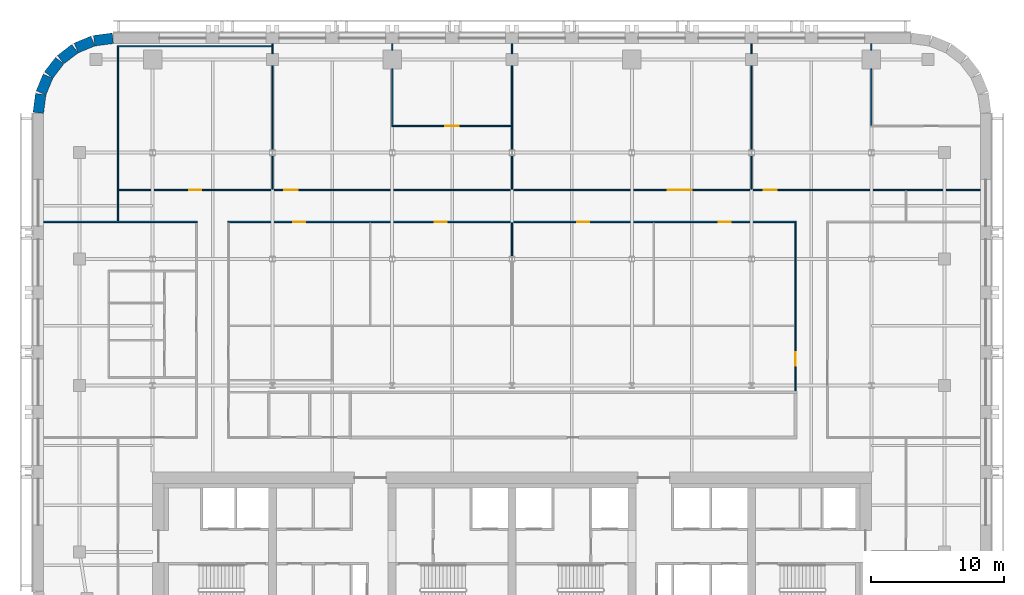
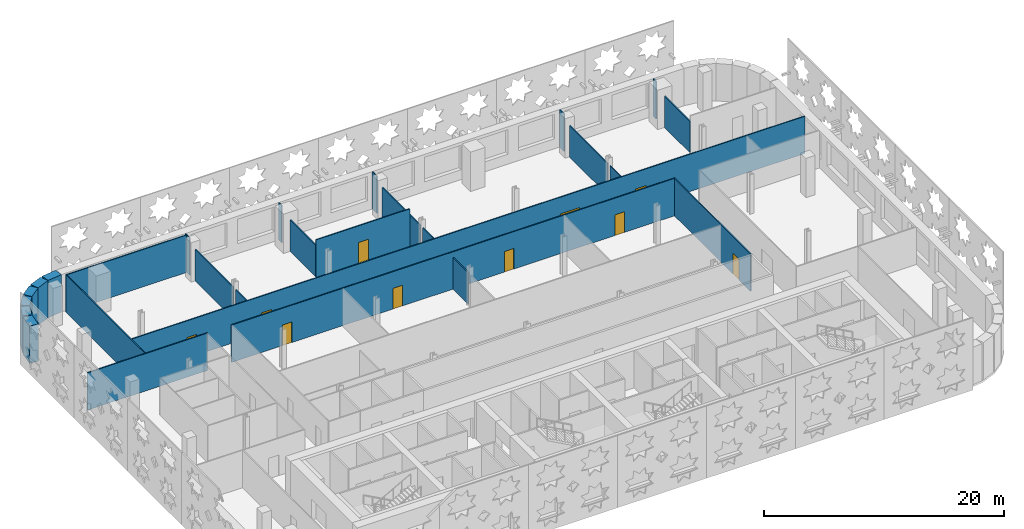
# One storey, part 6 of 12: 27 walls, 10 doors, 10 openings.
"""IFC4 building model written with IfcOpenShell, lengths in metres."""

from ifc_helpers import new_model, si_unit, direction, frame, frame_2d, origin, place, context, subcontext, project, spatial, rectangle, extrude, material, layer, layer_set, type_object, element, fill, save


model = new_model("IFC4")

# Units and contexts
model_context = context("Model", 3, precision=1e-05, world=origin(), true_north=direction((0.0, 1.0)))
body_context = subcontext(model_context, "Body", "Model", "MODEL_VIEW")
ifc_project = project(units=[si_unit("LENGTHUNIT", "METRE"), si_unit("AREAUNIT", "SQUARE_METRE"), si_unit("VOLUMEUNIT", "CUBIC_METRE"), si_unit("PLANEANGLEUNIT", "RADIAN"), si_unit("MASSUNIT", "GRAM", prefix="KILO")], contexts=[model_context])

# Site, building, storey
site_placement = place(None, origin())
site = spatial("IfcSite", under=ifc_project, at=site_placement, CompositionType="ELEMENT")
building_placement = place(site_placement, origin())
building = spatial("IfcBuilding", under=site, at=building_placement, Name="Zellij Exchange Tower", CompositionType="ELEMENT")
storey_placement = place(building_placement, frame((0.0, 0.0, 180.5)))
storey = spatial("IfcBuildingStorey", under=building, at=storey_placement, Name="L41", CompositionType="ELEMENT", Elevation=180.5)

# Walls
ifc_material_1 = material(Name="Precast concrete C40/50", Category="concrete")
ifc_layer_1 = layer(ifc_material_1, 0.800048828125)
ifc_layer_set_1 = layer_set([ifc_layer_1], Name="Precast concrete C40/50")
wall_type_1 = type_object("IfcWallType", Name="ENV-EW1 Precast stone-piered wall 800", PredefinedType="SOLIDWALL", material=ifc_layer_set_1)
wall_1_placement = place(storey_placement, frame((-29.999755859375, 30.5966796875, 0.0), z_axis=(0.0, 0.0, 1.0), x_axis=(-0.99144603414, -0.130517283865, 0.0)))
element("IfcWall", 1, at=wall_1_placement, inside=storey, type_object=wall_type_1, Name="fac.L41.15", PredefinedType="SOLIDWALL", context=body_context, shape_type="SweptSolid", body=[
    extrude(rectangle(XDim=1.408447265625, YDim=0.800048828125, at=frame_2d((0.7041015625, 0.0))), origin(), (0.0, 0.0, 1.0), 3.800048828125),
])
wall_2_placement = place(storey_placement, frame((-31.497314453125, 30.3857421875, 0.0), z_axis=(0.0, 0.0, 1.0), x_axis=(-0.923847774587, -0.38276009378, 0.0)))
element("IfcWall", 2, at=wall_2_placement, inside=storey, type_object=wall_type_1, Name="fac.L41.16", PredefinedType="SOLIDWALL", context=body_context, shape_type="SweptSolid", body=[
    extrude(rectangle(XDim=1.35546875, YDim=0.800048828125, at=frame_2d((0.677734375, 0.0))), origin(), (0.0, 0.0, 1.0), 3.800048828125),
])
for number, where, z_axis, x_axis, name in (
    (3, (-32.840087890625, 29.814697265625, 0.0), (0.0, 0.0, 1.0), (-0.793272915452, -0.608866226366, 0.0), "fac.L41.17"),
    (4, (-33.9892578125, 28.91552734375, 0.0), (0.0, 0.0, 1.0), (-0.608866226366, -0.793272915452, 0.0), "fac.L41.18"),
):
    element("IfcWall", number, at=place(storey_placement, frame(where, z_axis=z_axis, x_axis=x_axis)), inside=storey, type_object=wall_type_1, Name=name, PredefinedType="SOLIDWALL", context=body_context, shape_type="SweptSolid", body=[
        extrude(rectangle(XDim=1.355712890625, YDim=0.800048828125, at=frame_2d((0.677734375, 0.0))), origin(), (0.0, 0.0, 1.0), 3.800048828125),
    ])
wall_3_placement = place(storey_placement, frame((-34.866943359375, 27.74951171875, 0.0), z_axis=(0.0, 0.0, 1.0), x_axis=(-0.38276009378, -0.923847774587, 0.0)))
element("IfcWall", 5, at=wall_3_placement, inside=storey, type_object=wall_type_1, Name="fac.L41.19", PredefinedType="SOLIDWALL", context=body_context, shape_type="SweptSolid", body=[
    extrude(rectangle(XDim=1.35546875, YDim=0.800048828125, at=frame_2d((0.677734375, 0.0))), origin(), (0.0, 0.0, 1.0), 3.800048828125),
])
wall_4_placement = place(storey_placement, frame((-35.412841796875, 26.396240234375, 0.0), z_axis=(0.0, 0.0, 1.0), x_axis=(-0.130517283865, -0.99144603414, 0.0)))
element("IfcWall", 6, at=wall_4_placement, inside=storey, type_object=wall_type_1, Name="fac.L41.20", PredefinedType="SOLIDWALL", context=body_context, shape_type="SweptSolid", body=[
    extrude(rectangle(XDim=1.408447265625, YDim=0.800048828125, at=frame_2d((0.7041015625, 0.0))), origin(), (0.0, 0.0, 1.0), 3.800048828125),
])

# Wall, opening, door
ifc_material_2 = material(Name="Gypsum board partition on steel studs", Category="steel")
ifc_layer_2 = layer(ifc_material_2, 0.10009765625)
ifc_layer_set_2 = layer_set([ifc_layer_2], Name="Gypsum board partition on steel studs")
wall_type_2 = type_object("IfcWallType", Name="FIT-PARTITION-100", PredefinedType="PARTITIONING", material=ifc_layer_set_2)
wall_5_placement = place(storey_placement, frame((21.300048828125, 4.10009765625, 0.0), z_axis=(0.0, 0.0, 1.0), x_axis=(0.0, 1.0, 0.0)))
wall_5 = element("IfcWall", 7, at=wall_5_placement, inside=storey, type_object=wall_type_2, Name="FIT-PARTITION-100 018", PredefinedType="PARTITIONING", context=body_context, shape_type="SweptSolid", body=[
    extrude(rectangle(XDim=12.64990234375, YDim=0.10009765625, at=frame_2d((6.324951171875, 0.0))), origin(), (0.0, 0.0, 1.0), 3.800048828125),
])
opening_1_placement = place(wall_5_placement, frame((1.89990234375, 0.0, 0.0)))
opening_1 = element("IfcOpeningElement", 8, at=opening_1_placement, cuts=wall_5, Name="Opening O3B.10", PredefinedType="OPENING", context=body_context, shape_type="SweptSolid", body=[
    extrude(rectangle(XDim=1.0, YDim=2.10009765625, at=frame_2d((0.5, 1.050048828125))), frame((0.0, 0.06201171875, 0.0), z_axis=(0.0, -1.0, 0.0), x_axis=(1.0, 0.0, 0.0)), (0.0, 0.0, 1.0), 0.1240234375),
])
ifc_material_3 = material(Name="Timber door set", Category="wood")
door_type_1 = type_object("IfcDoorType", Name="FIT-D2-WIDE-1000X2100", OperationType="SINGLE_SWING_LEFT", PredefinedType="DOOR", material=ifc_material_3)
door_1_placement = place(opening_1_placement, origin())
door_1 = element("IfcDoor", 9, at=door_1_placement, inside=storey, type_object=door_type_1, Name="Door O3B.10", OperationType="SINGLE_SWING_RIGHT", OverallHeight=2.10009765625, OverallWidth=1.0, PredefinedType="DOOR", context=body_context, shape_type="SweptSolid", body=[
    extrude(rectangle(XDim=1.0, YDim=2.10009765625, at=frame_2d((0.5, 1.050048828125))), frame((0.0, 0.02490234375, 0.0), z_axis=(0.0, -1.0, 0.0), x_axis=(1.0, 0.0, 0.0)), (0.0, 0.0, 1.0), 0.050048828125),
])
fill(opening_1, door_1)

# Walls
wall_6_placement = place(storey_placement, frame((0.0, 14.212158203125, 0.0), z_axis=(0.0, 0.0, 1.0), x_axis=(0.0, 1.0, 0.0)))
element("IfcWall", 10, at=wall_6_placement, inside=storey, type_object=wall_type_2, Name="FIT-PARTITION-100 028", PredefinedType="PARTITIONING", context=body_context, shape_type="SweptSolid", body=[
    extrude(rectangle(XDim=2.537841796875, YDim=0.10009765625, at=frame_2d((1.26904296875, 0.0))), origin(), (0.0, 0.0, 1.0), 3.19287109375),
])
wall_7_placement = place(storey_placement, frame((-35.199951171875, 16.800048828125, 0.0), z_axis=(0.0, 0.0, 1.0), x_axis=(1.0, 0.0, 0.0)))
element("IfcWall", 11, at=wall_7_placement, inside=storey, type_object=wall_type_2, Name="FIT-PARTITION-100 032", PredefinedType="PARTITIONING", context=body_context, shape_type="SweptSolid", body=[
    extrude(rectangle(XDim=11.550048828125, YDim=0.10009765625, at=frame_2d((5.77490234375, 0.0))), origin(), (0.0, 0.0, 1.0), 3.800048828125),
])
wall_8_placement = place(storey_placement, frame((-29.60009765625, 16.85009765625, 0.0), z_axis=(0.0, 0.0, 1.0), x_axis=(0.0, 1.0, 0.0)))
element("IfcWall", 12, at=wall_8_placement, inside=storey, type_object=wall_type_2, Name="FIT-PARTITION-100 033", PredefinedType="PARTITIONING", context=body_context, shape_type="SweptSolid", body=[
    extrude(rectangle(XDim=13.099853515625, YDim=0.10009765625, at=frame_2d((6.5498046875, 0.0))), origin(), (0.0, 0.0, 1.0), 3.800048828125),
])

# Wall, openings, doors
wall_9_placement = place(storey_placement, frame((-21.35009765625, 16.800048828125, 0.0), z_axis=(0.0, 0.0, 1.0), x_axis=(1.0, 0.0, 0.0)))
wall_9 = element("IfcWall", 13, at=wall_9_placement, inside=storey, type_object=wall_type_2, Name="FIT-PARTITION-100 034", PredefinedType="PARTITIONING", context=body_context, shape_type="SweptSolid", body=[
    extrude(rectangle(XDim=42.7001953125, YDim=0.10009765625, at=frame_2d((21.35009765625, 0.0))), origin(), (0.0, 0.0, 1.0), 3.800048828125),
])
opening_2_placement = place(wall_9_placement, frame((4.89990234375, 0.0, 0.0)))
opening_2 = element("IfcOpeningElement", 14, at=opening_2_placement, cuts=wall_9, Name="Opening O3B.15", PredefinedType="OPENING", context=body_context, shape_type="SweptSolid", body=[
    extrude(rectangle(XDim=0.89990234375, YDim=2.10009765625, at=frame_2d((0.449951171875, 1.050048828125))), frame((0.0, 0.06201171875, 0.0), z_axis=(0.0, -1.0, 0.0), x_axis=(1.0, 0.0, 0.0)), (0.0, 0.0, 1.0), 0.1240234375),
])
opening_3_placement = place(wall_9_placement, frame((15.550048828125, 0.0, 0.0)))
opening_3 = element("IfcOpeningElement", 15, at=opening_3_placement, cuts=wall_9, Name="Opening O3B.16", PredefinedType="OPENING", context=body_context, shape_type="SweptSolid", body=[
    extrude(rectangle(XDim=0.89990234375, YDim=2.10009765625, at=frame_2d((0.449951171875, 1.050048828125))), frame((0.0, 0.06201171875, 0.0), z_axis=(0.0, -1.0, 0.0), x_axis=(1.0, 0.0, 0.0)), (0.0, 0.0, 1.0), 0.1240234375),
])
opening_4_placement = place(wall_9_placement, frame((26.25, 0.0, 0.0)))
opening_4 = element("IfcOpeningElement", 16, at=opening_4_placement, cuts=wall_9, Name="Opening O3B.17", PredefinedType="OPENING", context=body_context, shape_type="SweptSolid", body=[
    extrude(rectangle(XDim=0.89990234375, YDim=2.10009765625, at=frame_2d((0.449951171875, 1.050048828125))), frame((0.0, 0.06201171875, 0.0), z_axis=(0.0, -1.0, 0.0), x_axis=(1.0, 0.0, 0.0)), (0.0, 0.0, 1.0), 0.1240234375),
])
opening_5_placement = place(wall_9_placement, frame((36.89990234375, 0.0, 0.0)))
opening_5 = element("IfcOpeningElement", 17, at=opening_5_placement, cuts=wall_9, Name="Opening O3B.18", PredefinedType="OPENING", context=body_context, shape_type="SweptSolid", body=[
    extrude(rectangle(XDim=0.89990234375, YDim=2.10009765625, at=frame_2d((0.449951171875, 1.050048828125))), frame((0.0, 0.06201171875, 0.0), z_axis=(0.0, -1.0, 0.0), x_axis=(1.0, 0.0, 0.0)), (0.0, 0.0, 1.0), 0.1240234375),
])
door_type_2 = type_object("IfcDoorType", Name="FIT-D1-ROOM-900X2100", OperationType="SINGLE_SWING_LEFT", PredefinedType="DOOR", material=ifc_material_3)
door_2_placement = place(opening_2_placement, origin())
door_2 = element("IfcDoor", 18, at=door_2_placement, inside=storey, type_object=door_type_2, Name="Door O3B.15", OperationType="SINGLE_SWING_LEFT", OverallHeight=2.10009765625, OverallWidth=0.89990234375, PredefinedType="DOOR", context=body_context, shape_type="SweptSolid", body=[
    extrude(rectangle(XDim=0.89990234375, YDim=2.10009765625, at=frame_2d((0.449951171875, 1.050048828125))), frame((0.0, 0.02490234375, 0.0), z_axis=(0.0, -1.0, 0.0), x_axis=(1.0, 0.0, 0.0)), (0.0, 0.0, 1.0), 0.050048828125),
])
fill(opening_2, door_2)
door_3_placement = place(opening_3_placement, origin())
door_3 = element("IfcDoor", 19, at=door_3_placement, inside=storey, type_object=door_type_2, Name="Door O3B.16", OperationType="SINGLE_SWING_LEFT", OverallHeight=2.10009765625, OverallWidth=0.89990234375, PredefinedType="DOOR", context=body_context, shape_type="SweptSolid", body=[
    extrude(rectangle(XDim=0.89990234375, YDim=2.10009765625, at=frame_2d((0.449951171875, 1.050048828125))), frame((0.0, 0.02490234375, 0.0), z_axis=(0.0, -1.0, 0.0), x_axis=(1.0, 0.0, 0.0)), (0.0, 0.0, 1.0), 0.050048828125),
])
fill(opening_3, door_3)
door_4_placement = place(opening_4_placement, origin())
door_4 = element("IfcDoor", 20, at=door_4_placement, inside=storey, type_object=door_type_2, Name="Door O3B.17", OperationType="SINGLE_SWING_RIGHT", OverallHeight=2.10009765625, OverallWidth=0.89990234375, PredefinedType="DOOR", context=body_context, shape_type="SweptSolid", body=[
    extrude(rectangle(XDim=0.89990234375, YDim=2.10009765625, at=frame_2d((0.449951171875, 1.050048828125))), frame((0.0, 0.02490234375, 0.0), z_axis=(0.0, -1.0, 0.0), x_axis=(1.0, 0.0, 0.0)), (0.0, 0.0, 1.0), 0.050048828125),
])
fill(opening_4, door_4)
door_5_placement = place(opening_5_placement, origin())
door_5 = element("IfcDoor", 21, at=door_5_placement, inside=storey, type_object=door_type_2, Name="Door O3B.18", OperationType="SINGLE_SWING_RIGHT", OverallHeight=2.10009765625, OverallWidth=0.89990234375, PredefinedType="DOOR", context=body_context, shape_type="SweptSolid", body=[
    extrude(rectangle(XDim=0.89990234375, YDim=2.10009765625, at=frame_2d((0.449951171875, 1.050048828125))), frame((0.0, 0.02490234375, 0.0), z_axis=(0.0, -1.0, 0.0), x_axis=(1.0, 0.0, 0.0)), (0.0, 0.0, 1.0), 0.050048828125),
])
fill(opening_5, door_5)

wall_10_placement = place(storey_placement, frame((-29.550048828125, 19.199951171875, 0.0), z_axis=(0.0, 0.0, 1.0), x_axis=(1.0, 0.0, 0.0)))
wall_10 = element("IfcWall", 22, at=wall_10_placement, inside=storey, type_object=wall_type_2, Name="FIT-PARTITION-100 037", PredefinedType="PARTITIONING", context=body_context, shape_type="SweptSolid", body=[
    extrude(rectangle(XDim=64.75, YDim=0.10009765625, at=frame_2d((32.375, 0.0))), origin(), (0.0, 0.0, 1.0), 3.800048828125),
])
opening_6_placement = place(wall_10_placement, frame((5.300048828125, 0.0, 0.0)))
opening_6 = element("IfcOpeningElement", 23, at=opening_6_placement, cuts=wall_10, Name="Opening O3B.19", PredefinedType="OPENING", context=body_context, shape_type="SweptSolid", body=[
    extrude(rectangle(XDim=0.89990234375, YDim=2.10009765625, at=frame_2d((0.449951171875, 1.050048828125))), frame((0.0, 0.06201171875, 0.0), z_axis=(0.0, -1.0, 0.0), x_axis=(1.0, 0.0, 0.0)), (0.0, 0.0, 1.0), 0.1240234375),
])
opening_7_placement = place(wall_10_placement, frame((12.449951171875, 0.0, 0.0)))
opening_7 = element("IfcOpeningElement", 24, at=opening_7_placement, cuts=wall_10, Name="Opening O3B.20", PredefinedType="OPENING", context=body_context, shape_type="SweptSolid", body=[
    extrude(rectangle(XDim=1.0, YDim=2.10009765625, at=frame_2d((0.5, 1.050048828125))), frame((0.0, 0.06201171875, 0.0), z_axis=(0.0, -1.0, 0.0), x_axis=(1.0, 0.0, 0.0)), (0.0, 0.0, 1.0), 0.1240234375),
])
opening_8_placement = place(wall_10_placement, frame((41.25, 0.0, 0.0)))
opening_8 = element("IfcOpeningElement", 25, at=opening_8_placement, cuts=wall_10, Name="Opening O3B.21", PredefinedType="OPENING", context=body_context, shape_type="SweptSolid", body=[
    extrude(rectangle(XDim=1.800048828125, YDim=2.10009765625, at=frame_2d((0.89990234375, 1.050048828125))), frame((0.0, 0.06201171875, 0.0), z_axis=(0.0, -1.0, 0.0), x_axis=(1.0, 0.0, 0.0)), (0.0, 0.0, 1.0), 0.1240234375),
])
opening_9_placement = place(wall_10_placement, frame((48.449951171875, 0.0, 0.0)))
opening_9 = element("IfcOpeningElement", 26, at=opening_9_placement, cuts=wall_10, Name="Opening O3B.22", PredefinedType="OPENING", context=body_context, shape_type="SweptSolid", body=[
    extrude(rectangle(XDim=1.0, YDim=2.10009765625, at=frame_2d((0.5, 1.050048828125))), frame((0.0, 0.06201171875, 0.0), z_axis=(0.0, -1.0, 0.0), x_axis=(1.0, 0.0, 0.0)), (0.0, 0.0, 1.0), 0.1240234375),
])
door_6_placement = place(opening_6_placement, origin())
door_6 = element("IfcDoor", 27, at=door_6_placement, inside=storey, type_object=door_type_2, Name="Door O3B.19", OperationType="SINGLE_SWING_RIGHT", OverallHeight=2.10009765625, OverallWidth=0.89990234375, PredefinedType="DOOR", context=body_context, shape_type="SweptSolid", body=[
    extrude(rectangle(XDim=0.89990234375, YDim=2.10009765625, at=frame_2d((0.449951171875, 1.050048828125))), frame((0.0, 0.02490234375, 0.0), z_axis=(0.0, -1.0, 0.0), x_axis=(1.0, 0.0, 0.0)), (0.0, 0.0, 1.0), 0.050048828125),
])
fill(opening_6, door_6)
door_7_placement = place(opening_7_placement, origin())
door_7 = element("IfcDoor", 28, at=door_7_placement, inside=storey, type_object=door_type_1, Name="Door O3B.20", OperationType="SINGLE_SWING_RIGHT", OverallHeight=2.10009765625, OverallWidth=1.0, PredefinedType="DOOR", context=body_context, shape_type="SweptSolid", body=[
    extrude(rectangle(XDim=1.0, YDim=2.10009765625, at=frame_2d((0.5, 1.050048828125))), frame((0.0, 0.02490234375, 0.0), z_axis=(0.0, -1.0, 0.0), x_axis=(1.0, 0.0, 0.0)), (0.0, 0.0, 1.0), 0.050048828125),
])
fill(opening_7, door_7)
door_8_placement = place(opening_9_placement, origin())
door_8 = element("IfcDoor", 29, at=door_8_placement, inside=storey, type_object=door_type_1, Name="Door O3B.22", OperationType="SINGLE_SWING_RIGHT", OverallHeight=2.10009765625, OverallWidth=1.0, PredefinedType="DOOR", context=body_context, shape_type="SweptSolid", body=[
    extrude(rectangle(XDim=1.0, YDim=2.10009765625, at=frame_2d((0.5, 1.050048828125))), frame((0.0, 0.02490234375, 0.0), z_axis=(0.0, -1.0, 0.0), x_axis=(1.0, 0.0, 0.0)), (0.0, 0.0, 1.0), 0.050048828125),
])
fill(opening_9, door_8)
door_type_3 = type_object("IfcDoorType", Name="FIT-D3-DOUBLE-1800X2100", OperationType="DOUBLE_DOOR_SINGLE_SWING", PredefinedType="DOOR", material=ifc_material_3)
door_9_placement = place(opening_8_placement, origin())
door_9 = element("IfcDoor", 30, at=door_9_placement, inside=storey, type_object=door_type_3, Name="Door O3B.21", OperationType="DOUBLE_DOOR_SINGLE_SWING", OverallHeight=2.10009765625, OverallWidth=1.800048828125, PredefinedType="DOOR", context=body_context, shape_type="SweptSolid", body=[
    extrude(rectangle(XDim=1.800048828125, YDim=2.10009765625, at=frame_2d((0.89990234375, 1.050048828125))), frame((0.0, 0.02490234375, 0.0), z_axis=(0.0, -1.0, 0.0), x_axis=(1.0, 0.0, 0.0)), (0.0, 0.0, 1.0), 0.050048828125),
])
fill(opening_8, door_9)

# Walls
wall_11_placement = place(storey_placement, frame((-18.0, 19.25, 0.0), z_axis=(0.0, 0.0, 1.0), x_axis=(0.0, 1.0, 0.0)))
element("IfcWall", 31, at=wall_11_placement, inside=storey, type_object=wall_type_2, Name="FIT-PARTITION-100 038", PredefinedType="PARTITIONING", context=body_context, shape_type="SweptSolid", body=[
    extrude(rectangle(XDim=2.537841796875, YDim=0.10009765625, at=frame_2d((1.26904296875, 0.0))), origin(), (0.0, 0.0, 1.0), 3.19287109375),
])
wall_12_placement = place(storey_placement, frame((-18.0, 22.212158203125, 0.0), z_axis=(0.0, 0.0, 1.0), x_axis=(0.0, 1.0, 0.0)))
element("IfcWall", 32, at=wall_12_placement, inside=storey, type_object=wall_type_2, Name="FIT-PARTITION-100 039", PredefinedType="PARTITIONING", context=body_context, shape_type="SweptSolid", body=[
    extrude(rectangle(XDim=6.337890625, YDim=0.10009765625, at=frame_2d((3.1689453125, 0.0))), origin(), (0.0, 0.0, 1.0), 3.19287109375),
])
wall_13_placement = place(storey_placement, frame((-18.0, 29.449951171875, 0.0), z_axis=(0.0, 0.0, 1.0), x_axis=(0.0, 1.0, 0.0)))
element("IfcWall", 33, at=wall_13_placement, inside=storey, type_object=wall_type_2, Name="FIT-PARTITION-100 040", PredefinedType="PARTITIONING", context=body_context, shape_type="SweptSolid", body=[
    extrude(rectangle(XDim=0.75, YDim=0.10009765625, at=frame_2d((0.375, 0.0))), origin(), (0.0, 0.0, 1.0), 3.800048828125),
])
wall_14_placement = place(storey_placement, frame((0.0, 19.25, 0.0), z_axis=(0.0, 0.0, 1.0), x_axis=(0.0, 1.0, 0.0)))
element("IfcWall", 34, at=wall_14_placement, inside=storey, type_object=wall_type_2, Name="FIT-PARTITION-100 041", PredefinedType="PARTITIONING", context=body_context, shape_type="SweptSolid", body=[
    extrude(rectangle(XDim=2.537841796875, YDim=0.10009765625, at=frame_2d((1.26904296875, 0.0))), origin(), (0.0, 0.0, 1.0), 3.19287109375),
])
wall_15_placement = place(storey_placement, frame((0.0, 22.212158203125, 0.0), z_axis=(0.0, 0.0, 1.0), x_axis=(0.0, 1.0, 0.0)))
element("IfcWall", 35, at=wall_15_placement, inside=storey, type_object=wall_type_2, Name="FIT-PARTITION-100 042", PredefinedType="PARTITIONING", context=body_context, shape_type="SweptSolid", body=[
    extrude(rectangle(XDim=6.337890625, YDim=0.10009765625, at=frame_2d((3.1689453125, 0.0))), origin(), (0.0, 0.0, 1.0), 3.19287109375),
])
wall_16_placement = place(storey_placement, frame((0.0, 29.449951171875, 0.0), z_axis=(0.0, 0.0, 1.0), x_axis=(0.0, 1.0, 0.0)))
element("IfcWall", 36, at=wall_16_placement, inside=storey, type_object=wall_type_2, Name="FIT-PARTITION-100 043", PredefinedType="PARTITIONING", context=body_context, shape_type="SweptSolid", body=[
    extrude(rectangle(XDim=0.75, YDim=0.10009765625, at=frame_2d((0.375, 0.0))), origin(), (0.0, 0.0, 1.0), 3.800048828125),
])
wall_17_placement = place(storey_placement, frame((18.0, 19.25, 0.0), z_axis=(0.0, 0.0, 1.0), x_axis=(0.0, 1.0, 0.0)))
element("IfcWall", 37, at=wall_17_placement, inside=storey, type_object=wall_type_2, Name="FIT-PARTITION-100 044", PredefinedType="PARTITIONING", context=body_context, shape_type="SweptSolid", body=[
    extrude(rectangle(XDim=2.537841796875, YDim=0.10009765625, at=frame_2d((1.26904296875, 0.0))), origin(), (0.0, 0.0, 1.0), 3.19287109375),
])
wall_18_placement = place(storey_placement, frame((18.0, 22.212158203125, 0.0), z_axis=(0.0, 0.0, 1.0), x_axis=(0.0, 1.0, 0.0)))
element("IfcWall", 38, at=wall_18_placement, inside=storey, type_object=wall_type_2, Name="FIT-PARTITION-100 045", PredefinedType="PARTITIONING", context=body_context, shape_type="SweptSolid", body=[
    extrude(rectangle(XDim=6.337890625, YDim=0.10009765625, at=frame_2d((3.1689453125, 0.0))), origin(), (0.0, 0.0, 1.0), 3.19287109375),
])
wall_19_placement = place(storey_placement, frame((18.0, 29.449951171875, 0.0), z_axis=(0.0, 0.0, 1.0), x_axis=(0.0, 1.0, 0.0)))
element("IfcWall", 39, at=wall_19_placement, inside=storey, type_object=wall_type_2, Name="FIT-PARTITION-100 046", PredefinedType="PARTITIONING", context=body_context, shape_type="SweptSolid", body=[
    extrude(rectangle(XDim=0.75, YDim=0.10009765625, at=frame_2d((0.375, 0.0))), origin(), (0.0, 0.0, 1.0), 3.800048828125),
])

# Wall, opening, door
wall_20_placement = place(storey_placement, frame((-9.050048828125, 24.0, 0.0), z_axis=(0.0, 0.0, 1.0), x_axis=(1.0, 0.0, 0.0)))
wall_20 = element("IfcWall", 40, at=wall_20_placement, inside=storey, type_object=wall_type_2, Name="FIT-PARTITION-100 047", PredefinedType="PARTITIONING", context=body_context, shape_type="SweptSolid", body=[
    extrude(rectangle(XDim=9.0, YDim=0.10009765625, at=frame_2d((4.5, 0.0))), origin(), (0.0, 0.0, 1.0), 3.800048828125),
])
opening_10_placement = place(wall_20_placement, frame((4.050048828125, 0.0, 0.0)))
opening_10 = element("IfcOpeningElement", 41, at=opening_10_placement, cuts=wall_20, Name="Opening O3B.23", PredefinedType="OPENING", context=body_context, shape_type="SweptSolid", body=[
    extrude(rectangle(XDim=1.0, YDim=2.10009765625, at=frame_2d((0.5, 1.050048828125))), frame((0.0, 0.06201171875, 0.0), z_axis=(0.0, -1.0, 0.0), x_axis=(1.0, 0.0, 0.0)), (0.0, 0.0, 1.0), 0.1240234375),
])
door_10_placement = place(opening_10_placement, origin())
door_10 = element("IfcDoor", 42, at=door_10_placement, inside=storey, type_object=door_type_1, Name="Door O3B.23", OperationType="SINGLE_SWING_RIGHT", OverallHeight=2.10009765625, OverallWidth=1.0, PredefinedType="DOOR", context=body_context, shape_type="SweptSolid", body=[
    extrude(rectangle(XDim=1.0, YDim=2.10009765625, at=frame_2d((0.5, 1.050048828125))), frame((0.0, 0.02490234375, 0.0), z_axis=(0.0, -1.0, 0.0), x_axis=(1.0, 0.0, 0.0)), (0.0, 0.0, 1.0), 0.050048828125),
])
fill(opening_10, door_10)

# Walls
wall_21_placement = place(storey_placement, frame((-9.0, 24.050048828125, 0.0), z_axis=(0.0, 0.0, 1.0), x_axis=(0.0, 1.0, 0.0)))
element("IfcWall", 43, at=wall_21_placement, inside=storey, type_object=wall_type_2, Name="FIT-PARTITION-100 048", PredefinedType="PARTITIONING", context=body_context, shape_type="SweptSolid", body=[
    extrude(rectangle(XDim=4.25, YDim=0.10009765625, at=frame_2d((2.125, 0.0))), origin(), (0.0, 0.0, 1.0), 3.19287109375),
])
wall_22_placement = place(storey_placement, frame((-9.0, 29.699951171875, 0.0), z_axis=(0.0, 0.0, 1.0), x_axis=(0.0, 1.0, 0.0)))
element("IfcWall", 44, at=wall_22_placement, inside=storey, type_object=wall_type_2, Name="FIT-PARTITION-100 049", PredefinedType="PARTITIONING", context=body_context, shape_type="SweptSolid", body=[
    extrude(rectangle(XDim=0.5, YDim=0.10009765625, at=frame_2d((0.25, 0.0))), origin(), (0.0, 0.0, 1.0), 3.800048828125),
])
wall_23_placement = place(storey_placement, frame((27.0, 24.050048828125, 0.0), z_axis=(0.0, 0.0, 1.0), x_axis=(0.0, 1.0, 0.0)))
element("IfcWall", 45, at=wall_23_placement, inside=storey, type_object=wall_type_2, Name="FIT-PARTITION-100 051", PredefinedType="PARTITIONING", context=body_context, shape_type="SweptSolid", body=[
    extrude(rectangle(XDim=4.25, YDim=0.10009765625, at=frame_2d((2.125, 0.0))), origin(), (0.0, 0.0, 1.0), 3.19287109375),
])
wall_24_placement = place(storey_placement, frame((27.0, 29.699951171875, 0.0), z_axis=(0.0, 0.0, 1.0), x_axis=(0.0, 1.0, 0.0)))
element("IfcWall", 46, at=wall_24_placement, inside=storey, type_object=wall_type_2, Name="FIT-PARTITION-100 052", PredefinedType="PARTITIONING", context=body_context, shape_type="SweptSolid", body=[
    extrude(rectangle(XDim=0.5, YDim=0.10009765625, at=frame_2d((0.25, 0.0))), origin(), (0.0, 0.0, 1.0), 3.800048828125),
])
wall_25_placement = place(storey_placement, frame((-29.64990234375, 30.0, 0.0), z_axis=(0.0, 0.0, 1.0), x_axis=(1.0, 0.0, 0.0)))
element("IfcWall", 47, at=wall_25_placement, inside=storey, type_object=wall_type_2, Name="FIT-PARTITION-100 053", PredefinedType="PARTITIONING", context=body_context, shape_type="SweptSolid", body=[
    extrude(rectangle(XDim=11.599853515625, YDim=0.10009765625, at=frame_2d((5.7998046875, 0.0))), origin(), (0.0, 0.0, 1.0), 3.800048828125),
])

save(model, "model.ifc")
